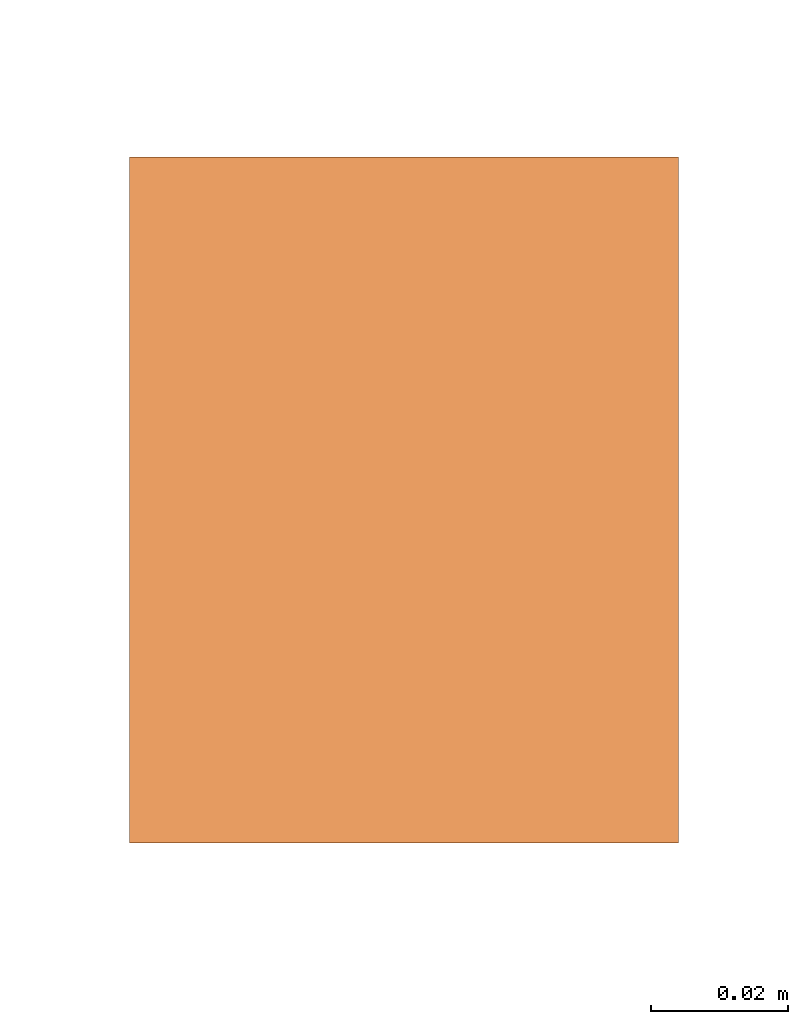
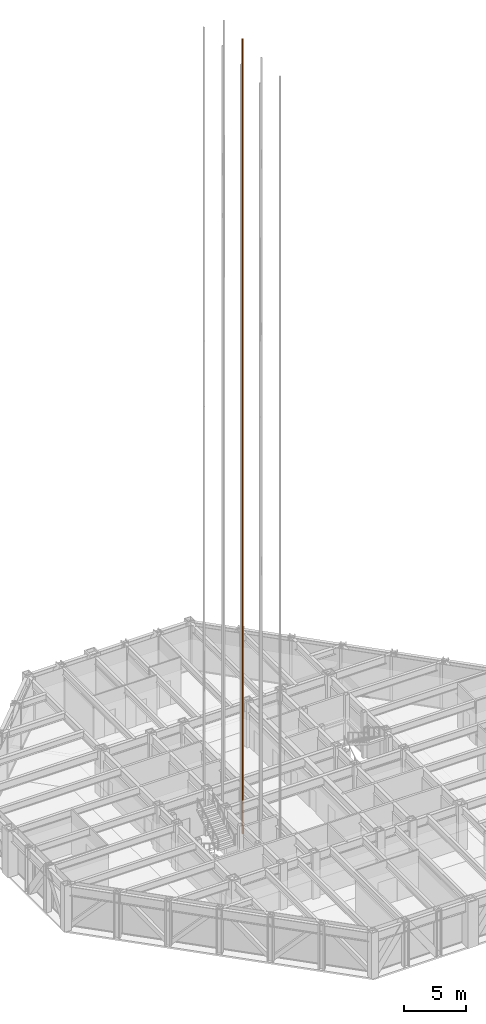
# One storey, part 22 of 24: 1 proxy.
"""IFC4 building model written with IfcOpenShell, lengths in metres."""

from ifc_helpers import new_model, si_unit, direction, frame, origin, origin_2d, place, context, subcontext, project, spatial, rectangle, extrude, material, type_object, element, save


model = new_model("IFC4")

# Units and contexts
model_context = context("Model", 3, precision=1e-05, world=origin(), true_north=direction((0.0, 1.0)))
body_context = subcontext(model_context, "Body", "Model", "MODEL_VIEW")
ifc_project = project(units=[si_unit("LENGTHUNIT", "METRE"), si_unit("AREAUNIT", "SQUARE_METRE"), si_unit("VOLUMEUNIT", "CUBIC_METRE"), si_unit("PLANEANGLEUNIT", "RADIAN"), si_unit("MASSUNIT", "GRAM", prefix="KILO")], contexts=[model_context])

# Site, building, storey
site_placement = place(None, origin())
site = spatial("IfcSite", under=ifc_project, at=site_placement, CompositionType="ELEMENT")
building_placement = place(site_placement, origin())
building = spatial("IfcBuilding", under=site, at=building_placement, Name="Chuquiago Exchange Tower", CompositionType="ELEMENT")
storey_placement = place(building_placement, frame((0.0, 0.0, 180.0)))
storey = spatial("IfcBuildingStorey", under=building, at=storey_placement, Name="L39", CompositionType="ELEMENT", Elevation=180.0)

# Proxy
ifc_material = material(Name="Galvanised steel guide rail", Category="steel")
building_element_proxy_type = type_object("IfcBuildingElementProxyType", Name="LR lift guide rail", PredefinedType="NOTDEFINED", material=ifc_material)
proxy_placement = place(storey_placement, frame((18.93505859375, 22.5, 0.0), z_axis=(0.0, 0.0, 1.0), x_axis=(1.0, 0.0, 0.0)))
element("IfcBuildingElementProxy", 1, at=proxy_placement, inside=storey, type_object=building_element_proxy_type, Name="Lift LC3 guide rail E", PredefinedType="NOTDEFINED", context=body_context, shape_type="SweptSolid", body=[
    extrude(rectangle(XDim=0.080078125, YDim=0.10009765625, at=origin_2d()), origin(), (0.0, 0.0, 1.0), 77.699951171875),
])

save(model, "model.ifc")
